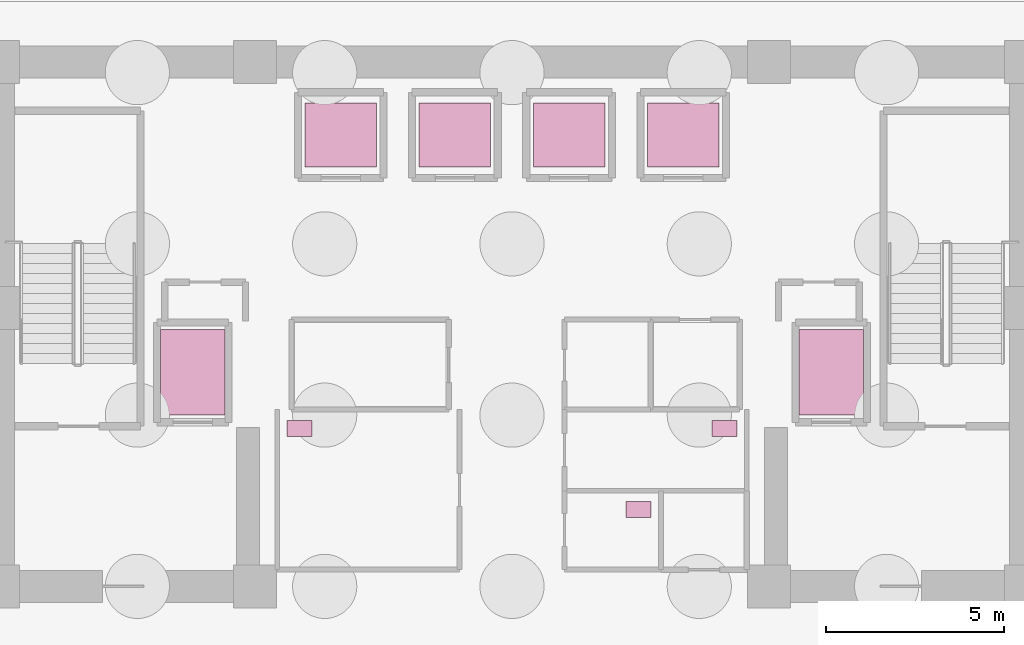
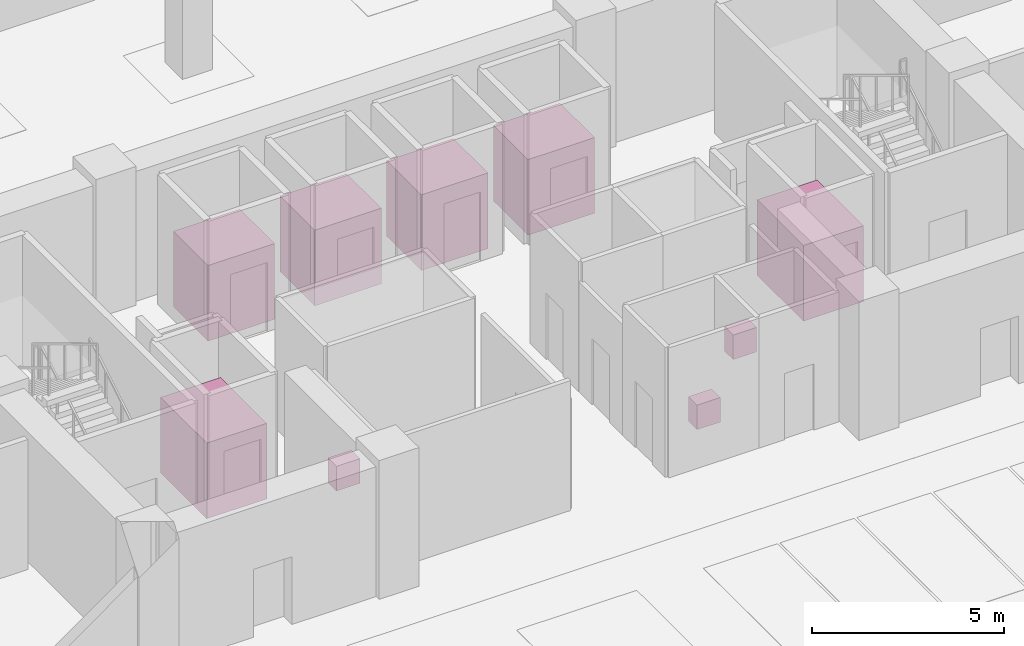
# One storey, part 13 of 13: 6 transport elements, 3 furnishings.
"""IFC4 building model written with IfcOpenShell, lengths in metres."""

from ifc_helpers import new_model, si_unit, direction, frame, origin, origin_2d, place, context, subcontext, project, spatial, rectangle, extrude, source, transform, mapped, material, type_object, element, save


model = new_model("IFC4")

# Units and contexts
model_context = context("Model", 3, precision=1e-05, world=origin(), true_north=direction((0.0, 1.0)))
body_context = subcontext(model_context, "Body", "Model", "MODEL_VIEW")
ifc_project = project(units=[si_unit("LENGTHUNIT", "METRE"), si_unit("AREAUNIT", "SQUARE_METRE"), si_unit("VOLUMEUNIT", "CUBIC_METRE"), si_unit("PLANEANGLEUNIT", "RADIAN"), si_unit("MASSUNIT", "GRAM", prefix="KILO")], contexts=[model_context])

# Site, building, storey
site_placement = place(None, origin())
site = spatial("IfcSite", under=ifc_project, at=site_placement, CompositionType="ELEMENT")
building_placement = place(site_placement, origin())
building = spatial("IfcBuilding", under=site, at=building_placement, Name="Zarnakvel Exchange Tower", CompositionType="ELEMENT")
storey_placement = place(building_placement, frame((0.0, 0.0, -13.199951171875)))
storey = spatial("IfcBuildingStorey", under=building, at=storey_placement, Name="B03", CompositionType="ELEMENT", Elevation=-13.199951171875)

# Transport elements
ifc_material_1 = material(Name="Brushed Stainless Steel", Category="steel")
transport_element_type_1 = type_object("IfcTransportElementType", Name="LFT-FF", PredefinedType="ELEVATOR", material=ifc_material_1)
shared_shape_1 = source(origin(), body_context, "Body", "SweptSolid", [
    extrude(rectangle(XDim=1.800048828125, YDim=2.39990234375, at=origin_2d()), origin(), (0.0, 0.0, 1.0), 2.39990234375),
])
for number, where, z_axis, x_axis, name in (
    (1, (-8.949951171875, 4.800048828125, 0.0), (0.0, 0.0, 1.0), (1.0, 0.0, 0.0), "Firefighting and Stretcher Lift FL-01"),
    (2, (8.949951171875, 4.800048828125, 0.0), (0.0, 0.0, 1.0), (1.0, 0.0, 0.0), "Firefighting and Stretcher Lift FL-02"),
):
    element("IfcTransportElement", number, at=place(storey_placement, frame(where, z_axis=z_axis, x_axis=x_axis)), inside=storey, type_object=transport_element_type_1, Name=name, PredefinedType="ELEVATOR", context=body_context, shape_type="MappedRepresentation", body=[
        mapped(shared_shape_1, transform((0.0, 0.0, 0.0), x_axis=(1.0, 0.0, 0.0), y_axis=(0.0, 1.0, 0.0), z_axis=(0.0, 0.0, 1.0), scale=1.0)),
    ])
transport_element_type_2 = type_object("IfcTransportElementType", Name="LFT-LO", PredefinedType="ELEVATOR", material=ifc_material_1)
shared_shape_2 = source(origin(), body_context, "Body", "SweptSolid", [
    extrude(rectangle(XDim=2.0, YDim=1.800048828125, at=origin_2d()), origin(), (0.0, 0.0, 1.0), 2.39990234375),
])
for number, where, z_axis, x_axis, name in (
    (3, (-4.800048828125, 11.449951171875, 0.0), (0.0, 0.0, 1.0), (1.0, 0.0, 0.0), "Low-Rise Passenger Lift PL-01"),
    (4, (-1.60009765625, 11.449951171875, 0.0), (0.0, 0.0, 1.0), (1.0, 0.0, 0.0), "Low-Rise Passenger Lift PL-02"),
    (5, (1.60009765625, 11.449951171875, 0.0), (0.0, 0.0, 1.0), (1.0, 0.0, 0.0), "Low-Rise Passenger Lift PL-03"),
    (6, (4.800048828125, 11.449951171875, 0.0), (0.0, 0.0, 1.0), (1.0, 0.0, 0.0), "Low-Rise Passenger Lift PL-04"),
):
    element("IfcTransportElement", number, at=place(storey_placement, frame(where, z_axis=z_axis, x_axis=x_axis)), inside=storey, type_object=transport_element_type_2, Name=name, PredefinedType="ELEVATOR", context=body_context, shape_type="MappedRepresentation", body=[
        mapped(shared_shape_2, transform((0.0, 0.0, 0.0), x_axis=(1.0, 0.0, 0.0), y_axis=(0.0, 1.0, 0.0), z_axis=(0.0, 0.0, 1.0), scale=1.0)),
    ])

# Furnishings
ifc_material_2 = material(Name="Vitreous China Sanitaryware", Category="ceramic")
furnishing_element_type = type_object("IfcFurnishingElementType", Name="SAN-WC", material=ifc_material_2)
shared_shape_3 = source(origin(), body_context, "Body", "SweptSolid", [
    extrude(rectangle(XDim=0.699951171875, YDim=0.449951171875, at=origin_2d()), origin(), (0.0, 0.0, 1.0), 0.780029296875),
])
for number, where, z_axis, x_axis, name in (
    (7, (-5.949951171875, 3.22998046875, 0.0), (0.0, 0.0, 1.0), (1.0, 0.0, 0.0), "B03 Sanitary Fixture (Male Toilet)"),
    (8, (5.949951171875, 3.22998046875, 0.0), (0.0, 0.0, 1.0), (1.0, 0.0, 0.0), "B03 Sanitary Fixture (Female Toilet)"),
    (9, (3.550048828125, 0.949951171875, 0.0), (0.0, 0.0, 1.0), (1.0, 0.0, 0.0), "B03 Sanitary Fixture (Accessible Toilet)"),
):
    element("IfcFurnishingElement", number, at=place(storey_placement, frame(where, z_axis=z_axis, x_axis=x_axis)), inside=storey, type_object=furnishing_element_type, Name=name, ObjectType="SANITARY_FIXTURE", context=body_context, shape_type="MappedRepresentation", body=[
        mapped(shared_shape_3, transform((0.0, 0.0, 0.0), x_axis=(1.0, 0.0, 0.0), y_axis=(0.0, 1.0, 0.0), z_axis=(0.0, 0.0, 1.0), scale=1.0)),
    ])

save(model, "model.ifc")
